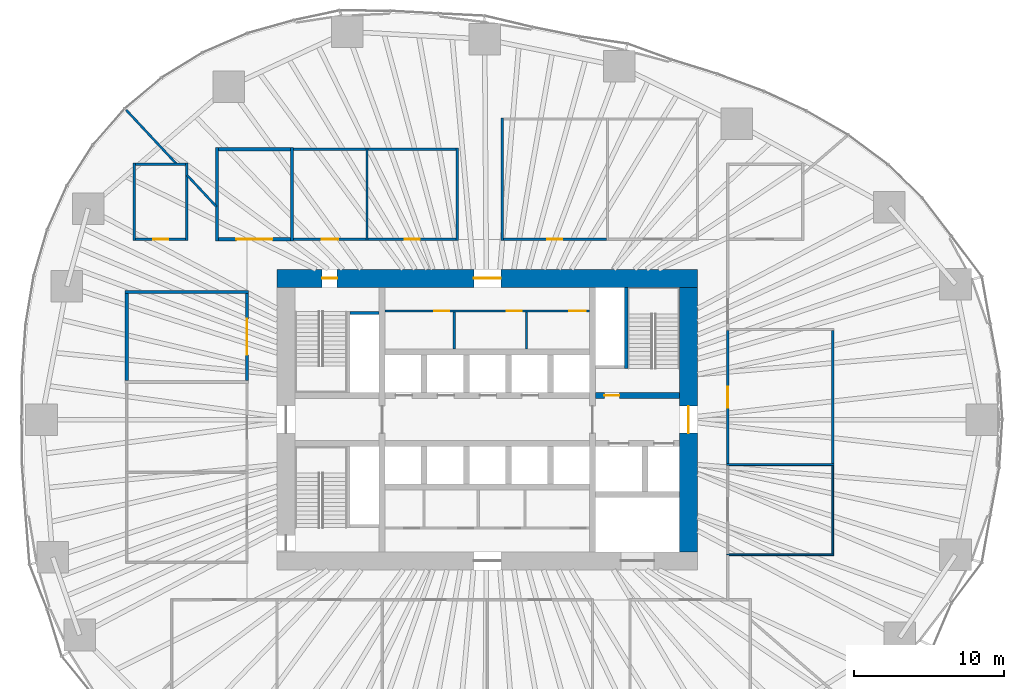
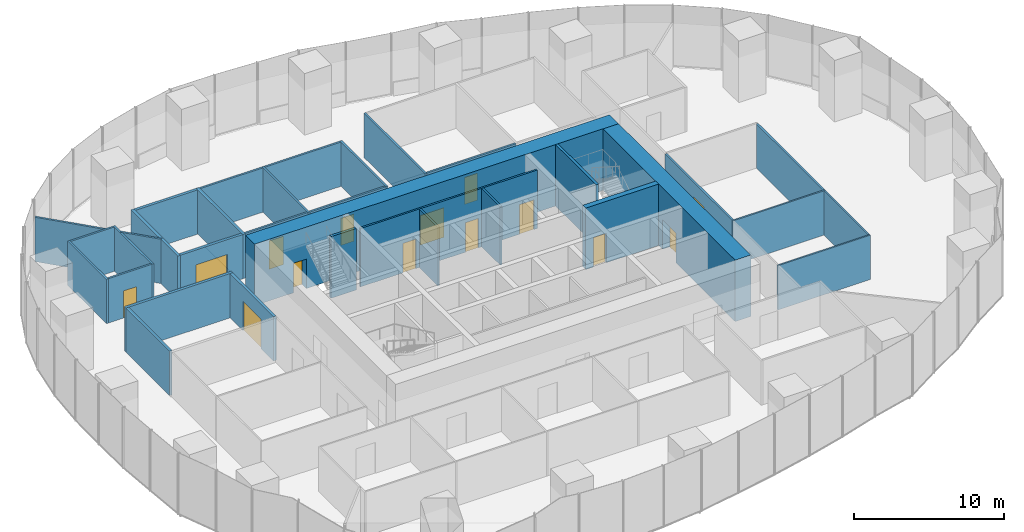
# One storey, part 11 of 20: 34 walls, 14 doors, 14 openings.
"""IFC4 building model written with IfcOpenShell, lengths in metres."""

from ifc_helpers import new_model, si_unit, direction, frame, frame_2d, origin, place, context, subcontext, project, spatial, rectangle, extrude, material, layer, layer_set, type_object, element, fill, save


model = new_model("IFC4")

# Units and contexts
model_context = context("Model", 3, precision=1e-05, world=origin(), true_north=direction((0.0, 1.0)))
body_context = subcontext(model_context, "Body", "Model", "MODEL_VIEW")
ifc_project = project(units=[si_unit("LENGTHUNIT", "METRE"), si_unit("AREAUNIT", "SQUARE_METRE"), si_unit("VOLUMEUNIT", "CUBIC_METRE"), si_unit("PLANEANGLEUNIT", "RADIAN"), si_unit("MASSUNIT", "GRAM", prefix="KILO")], contexts=[model_context])

# Site, building, storey
site_placement = place(None, origin())
site = spatial("IfcSite", under=ifc_project, at=site_placement, CompositionType="ELEMENT")
building_placement = place(site_placement, origin())
building = spatial("IfcBuilding", under=site, at=building_placement, Name="Ghaith Harvest Tower", CompositionType="ELEMENT")
storey_placement = place(building_placement, frame((0.0, 0.0, 40.0)))
storey = spatial("IfcBuildingStorey", under=building, at=storey_placement, Name="L08", CompositionType="ELEMENT", Elevation=40.0)

# Wall
ifc_material_1 = material(Name="Concrete blockwork, 1-hour", Category="masonry")
ifc_layer_1 = layer(ifc_material_1, 0.215087890625)
ifc_layer_set_1 = layer_set([ifc_layer_1], Name="BLOCKWORK WALL 215")
wall_type_1 = type_object("IfcWallType", Name="BLOCKWORK WALL 215", PredefinedType="PARTITIONING", material=ifc_layer_set_1)
wall_1_placement = place(storey_placement, frame((-15.892578125, 8.5, 0.0), z_axis=(0.0, 0.0, 1.0), x_axis=(-1.0, 0.0, 0.0)))
element("IfcWall", 1, at=wall_1_placement, inside=storey, type_object=wall_type_1, Name="Partition L08 row W3 cross wall 4", PredefinedType="PARTITIONING", context=body_context, shape_type="SweptSolid", body=[
    extrude(rectangle(XDim=8.21484375, YDim=0.215087890625, at=frame_2d((4.107421875, 0.0))), origin(), (0.0, 0.0, 1.0), 3.60009765625),
])

# Wall, opening, door
wall_2_placement = place(storey_placement, frame((-16.0, 2.607421875, 0.0), z_axis=(0.0, 0.0, 1.0), x_axis=(0.0, 1.0, 0.0)))
wall_2 = element("IfcWall", 2, at=wall_2_placement, inside=storey, type_object=wall_type_1, Name="Partition L08-08", PredefinedType="PARTITIONING", context=body_context, shape_type="SweptSolid", body=[
    extrude(rectangle(XDim=5.78515625, YDim=0.215087890625, at=frame_2d((2.892578125, 0.0))), origin(), (0.0, 0.0, 1.0), 3.60009765625),
])
opening_1_placement = place(wall_2_placement, frame((1.6923828125, 0.0, 0.0)))
opening_1 = element("IfcOpeningElement", 3, at=opening_1_placement, cuts=wall_2, Name="Opening 08-031", PredefinedType="OPENING", context=body_context, shape_type="SweptSolid", body=[
    extrude(rectangle(XDim=2.39990234375, YDim=2.39990234375, at=frame_2d((1.199951171875, 1.199951171875))), frame((0.0, 0.11767578125, 0.0), z_axis=(0.0, -1.0, 0.0), x_axis=(1.0, 0.0, 0.0)), (0.0, 0.0, 1.0), 0.235107421875),
])
ifc_material_2 = material(Name="Timber door", Category="wood")
door_type_1 = type_object("IfcDoorType", Name="D10 PLANT PAIR 2400x2400", OperationType="DOUBLE_DOOR_SINGLE_SWING", PredefinedType="DOOR", material=ifc_material_2)
door_1_placement = place(opening_1_placement, origin())
door_1 = element("IfcDoor", 4, at=door_1_placement, inside=storey, type_object=door_type_1, Name="Nutrient tank room door", OperationType="DOUBLE_DOOR_SINGLE_SWING", OverallHeight=2.39990234375, OverallWidth=2.39990234375, PredefinedType="DOOR", context=body_context, shape_type="SweptSolid", body=[
    extrude(rectangle(XDim=2.39990234375, YDim=2.39990234375, at=frame_2d((1.199951171875, 1.199951171875))), frame((0.0, 0.02490234375, 0.0), z_axis=(0.0, -1.0, 0.0), x_axis=(1.0, 0.0, 0.0)), (0.0, 0.0, 1.0), 0.050048828125),
])
fill(opening_1, door_1)

# Walls
wall_3_placement = place(storey_placement, frame((-24.0, 2.607421875, 0.0), z_axis=(0.0, 0.0, 1.0), x_axis=(0.0, 1.0, 0.0)))
element("IfcWall", 5, at=wall_3_placement, inside=storey, type_object=wall_type_1, Name="Partition L08-08", PredefinedType="PARTITIONING", context=body_context, shape_type="SweptSolid", body=[
    extrude(rectangle(XDim=5.78515625, YDim=0.215087890625, at=frame_2d((2.892578125, 0.0))), origin(), (0.0, 0.0, 1.0), 3.60009765625),
])
for number, where, z_axis, x_axis, name in (
    (6, (-18.0, 11.892578125, 0.0), (0.0, 0.0, 1.0), (0.0, 1.0, 0.0), "Partition L08 row N4 cross wall 1"),
    (7, (-13.0, 11.892578125, 0.0), (0.0, 0.0, 1.0), (0.0, 1.0, 0.0), "Partition L08 row N4 cross wall 2"),
):
    element("IfcWall", number, at=place(storey_placement, frame(where, z_axis=z_axis, x_axis=x_axis)), inside=storey, type_object=wall_type_1, Name=name, PredefinedType="PARTITIONING", context=body_context, shape_type="SweptSolid", body=[
        extrude(rectangle(XDim=6.21484375, YDim=0.215087890625, at=frame_2d((3.107421875, 0.0))), origin(), (0.0, 0.0, 1.0), 3.60009765625),
    ])

# Wall, opening, door
wall_4_placement = place(storey_placement, frame((-17.892578125, 12.0, 0.0), z_axis=(0.0, 0.0, 1.0), x_axis=(1.0, 0.0, 0.0)))
wall_4 = element("IfcWall", 8, at=wall_4_placement, inside=storey, type_object=wall_type_1, Name="Partition L08-09", PredefinedType="PARTITIONING", context=body_context, shape_type="SweptSolid", body=[
    extrude(rectangle(XDim=4.78515625, YDim=0.215087890625, at=frame_2d((2.392578125, 0.0))), origin(), (0.0, 0.0, 1.0), 3.60009765625),
])
opening_2_placement = place(wall_4_placement, frame((1.1923828125, 0.0, 0.0)))
opening_2 = element("IfcOpeningElement", 9, at=opening_2_placement, cuts=wall_4, Name="Opening 08-032", PredefinedType="OPENING", context=body_context, shape_type="SweptSolid", body=[
    extrude(rectangle(XDim=2.39990234375, YDim=2.39990234375, at=frame_2d((1.199951171875, 1.199951171875))), frame((0.0, 0.11767578125, 0.0), z_axis=(0.0, -1.0, 0.0), x_axis=(1.0, 0.0, 0.0)), (0.0, 0.0, 1.0), 0.235107421875),
])
door_2_placement = place(opening_2_placement, origin())
door_2 = element("IfcDoor", 10, at=door_2_placement, inside=storey, type_object=door_type_1, Name="Pump room door", OperationType="DOUBLE_DOOR_SINGLE_SWING", OverallHeight=2.39990234375, OverallWidth=2.39990234375, PredefinedType="DOOR", context=body_context, shape_type="SweptSolid", body=[
    extrude(rectangle(XDim=2.39990234375, YDim=2.39990234375, at=frame_2d((1.199951171875, 1.199951171875))), frame((0.0, 0.02490234375, 0.0), z_axis=(0.0, -1.0, 0.0), x_axis=(1.0, 0.0, 0.0)), (0.0, 0.0, 1.0), 0.050048828125),
])
fill(opening_2, door_2)

# Wall
wall_5_placement = place(storey_placement, frame((-17.892578125, 18.0, 0.0), z_axis=(0.0, 0.0, 1.0), x_axis=(1.0, 0.0, 0.0)))
element("IfcWall", 11, at=wall_5_placement, inside=storey, type_object=wall_type_1, Name="Partition L08-09", PredefinedType="PARTITIONING", context=body_context, shape_type="SweptSolid", body=[
    extrude(rectangle(XDim=4.78515625, YDim=0.215087890625, at=frame_2d((2.392578125, 0.0))), origin(), (0.0, 0.0, 1.0), 3.60009765625),
])

# Wall, openings, doors
ifc_material_3 = material(Name="Concrete blockwork, fair-faced", Category="masonry")
ifc_layer_2 = layer(ifc_material_3, 0.139892578125)
ifc_layer_set_2 = layer_set([ifc_layer_2], Name="CORE PARTITION 140")
wall_type_2 = type_object("IfcWallType", Name="CORE PARTITION 140", PredefinedType="PARTITIONING", material=ifc_layer_set_2)
wall_6_placement = place(storey_placement, frame((-6.800048828125, 7.22998046875, 0.0), z_axis=(0.0, 0.0, 1.0), x_axis=(1.0, 0.0, 0.0)))
wall_6 = element("IfcWall", 12, at=wall_6_placement, inside=storey, type_object=wall_type_2, Name="Core partition L08", PredefinedType="PARTITIONING", context=body_context, shape_type="SweptSolid", body=[
    extrude(rectangle(XDim=13.60009765625, YDim=0.139892578125, at=frame_2d((6.800048828125, 0.0))), origin(), (0.0, 0.0, 1.0), 4.75),
])
opening_3_placement = place(wall_6_placement, frame((3.280029296875, 0.0, 0.0)))
opening_3 = element("IfcOpeningElement", 13, at=opening_3_placement, cuts=wall_6, Name="Opening 08-008", PredefinedType="OPENING", context=body_context, shape_type="SweptSolid", body=[
    extrude(rectangle(XDim=1.0, YDim=2.39990234375, at=frame_2d((0.5, 1.199951171875))), frame((0.0, 0.080078125, 0.0), z_axis=(0.0, -1.0, 0.0), x_axis=(1.0, 0.0, 0.0)), (0.0, 0.0, 1.0), 0.159912109375),
])
opening_4_placement = place(wall_6_placement, frame((8.080078125, 0.0, 0.0)))
opening_4 = element("IfcOpeningElement", 14, at=opening_4_placement, cuts=wall_6, Name="Opening 08-009", PredefinedType="OPENING", context=body_context, shape_type="SweptSolid", body=[
    extrude(rectangle(XDim=1.0, YDim=2.39990234375, at=frame_2d((0.5, 1.199951171875))), frame((0.0, 0.080078125, 0.0), z_axis=(0.0, -1.0, 0.0), x_axis=(1.0, 0.0, 0.0)), (0.0, 0.0, 1.0), 0.159912109375),
])
opening_5_placement = place(wall_6_placement, frame((12.25, 0.0, 0.0)))
opening_5 = element("IfcOpeningElement", 15, at=opening_5_placement, cuts=wall_6, Name="Opening 08-010", PredefinedType="OPENING", context=body_context, shape_type="SweptSolid", body=[
    extrude(rectangle(XDim=1.10009765625, YDim=2.39990234375, at=frame_2d((0.550048828125, 1.199951171875))), frame((0.0, 0.080078125, 0.0), z_axis=(0.0, -1.0, 0.0), x_axis=(1.0, 0.0, 0.0)), (0.0, 0.0, 1.0), 0.159912109375),
])
ifc_material_4 = material(Name="Steel fire door", Category="steel")
door_type_2 = type_object("IfcDoorType", Name="D3 FD90 1000x2400", OperationType="SINGLE_SWING_LEFT", PredefinedType="DOOR", material=ifc_material_4)
door_3_placement = place(opening_3_placement, origin())
door_3 = element("IfcDoor", 16, at=door_3_placement, inside=storey, type_object=door_type_2, Name="Female WC door", OperationType="SINGLE_SWING_LEFT", OverallHeight=2.39990234375, OverallWidth=1.0, PredefinedType="DOOR", context=body_context, shape_type="SweptSolid", body=[
    extrude(rectangle(XDim=1.0, YDim=2.39990234375, at=frame_2d((0.5, 1.199951171875))), frame((0.0, 0.02490234375, 0.0), z_axis=(0.0, -1.0, 0.0), x_axis=(1.0, 0.0, 0.0)), (0.0, 0.0, 1.0), 0.050048828125),
])
fill(opening_3, door_3)
door_4_placement = place(opening_4_placement, origin())
door_4 = element("IfcDoor", 17, at=door_4_placement, inside=storey, type_object=door_type_2, Name="Male WC door", OperationType="SINGLE_SWING_RIGHT", OverallHeight=2.39990234375, OverallWidth=1.0, PredefinedType="DOOR", context=body_context, shape_type="SweptSolid", body=[
    extrude(rectangle(XDim=1.0, YDim=2.39990234375, at=frame_2d((0.5, 1.199951171875))), frame((0.0, 0.02490234375, 0.0), z_axis=(0.0, -1.0, 0.0), x_axis=(1.0, 0.0, 0.0)), (0.0, 0.0, 1.0), 0.050048828125),
])
fill(opening_4, door_4)
ifc_material_5 = material(Name="Steel fire door", Category="steel")
door_type_3 = type_object("IfcDoorType", Name="D9 FD90 1100x2400", OperationType="SINGLE_SWING_LEFT", PredefinedType="DOOR", material=ifc_material_5)
door_5_placement = place(opening_5_placement, origin())
door_5 = element("IfcDoor", 18, at=door_5_placement, inside=storey, type_object=door_type_3, Name="Accessible WC door", OperationType="SINGLE_SWING_RIGHT", OverallHeight=2.39990234375, OverallWidth=1.10009765625, PredefinedType="DOOR", context=body_context, shape_type="SweptSolid", body=[
    extrude(rectangle(XDim=1.10009765625, YDim=2.39990234375, at=frame_2d((0.550048828125, 1.199951171875))), frame((0.0, 0.02490234375, 0.0), z_axis=(0.0, -1.0, 0.0), x_axis=(1.0, 0.0, 0.0)), (0.0, 0.0, 1.0), 0.050048828125),
])
fill(opening_5, door_5)

# Walls
for number, where, z_axis, x_axis, name in (
    (19, (-2.199951171875, 4.699951171875, 0.0), (0.0, 0.0, 1.0), (0.0, 1.0, 0.0), "Core partition L08"),
    (20, (2.60009765625, 4.699951171875, 0.0), (0.0, 0.0, 1.0), (0.0, 1.0, 0.0), "Core partition L08"),
):
    element("IfcWall", number, at=place(storey_placement, frame(where, z_axis=z_axis, x_axis=x_axis)), inside=storey, type_object=wall_type_2, Name=name, PredefinedType="PARTITIONING", context=body_context, shape_type="SweptSolid", body=[
        extrude(rectangle(XDim=2.4599609375, YDim=0.139892578125, at=frame_2d((1.22998046875, 0.0))), origin(), (0.0, 0.0, 1.0), 4.75),
    ])

# Wall, openings, doors
ifc_material_6 = material(Name="Concrete C70/85", Category="concrete")
ifc_layer_3 = layer(ifc_material_6, 1.199951171875)
ifc_layer_set_3 = layer_set([ifc_layer_3], Name="CORE WALL CW1200")
wall_type_3 = type_object("IfcWallType", Name="CORE WALL CW1200", PredefinedType="SHEAR", material=ifc_layer_set_3)
wall_7_placement = place(storey_placement, frame((14.0, 9.39990234375, 0.0), z_axis=(0.0, 0.0, 1.0), x_axis=(-1.0, 0.0, 0.0)))
wall_7 = element("IfcWall", 21, at=wall_7_placement, inside=storey, type_object=wall_type_3, Name="Core wall N L08", PredefinedType="SHEAR", context=body_context, shape_type="SweptSolid", body=[
    extrude(rectangle(XDim=28.0, YDim=1.199951171875, at=frame_2d((14.0, 0.0))), origin(), (0.0, 0.0, 1.0), 5.0),
])
opening_6_placement = place(wall_7_placement, frame((24.0, 0.0, 0.0)))
opening_6 = element("IfcOpeningElement", 22, at=opening_6_placement, cuts=wall_7, Name="Opening 08-005", PredefinedType="OPENING", context=body_context, shape_type="SweptSolid", body=[
    extrude(rectangle(XDim=1.0, YDim=2.39990234375, at=frame_2d((0.5, 1.199951171875))), frame((0.0, 0.60986328125, 0.0), z_axis=(0.0, -1.0, 0.0), x_axis=(1.0, 0.0, 0.0)), (0.0, 0.0, 1.0), 1.219970703125),
])
opening_7_placement = place(wall_7_placement, frame((13.10009765625, 0.0, 0.0)))
opening_7 = element("IfcOpeningElement", 23, at=opening_7_placement, cuts=wall_7, Name="Opening 08-015", PredefinedType="OPENING", context=body_context, shape_type="SweptSolid", body=[
    extrude(rectangle(XDim=1.800048828125, YDim=2.39990234375, at=frame_2d((0.89990234375, 1.199951171875))), frame((0.0, 0.60986328125, 0.0), z_axis=(0.0, -1.0, 0.0), x_axis=(1.0, 0.0, 0.0)), (0.0, 0.0, 1.0), 1.219970703125),
])
door_6_placement = place(opening_6_placement, origin())
door_6 = element("IfcDoor", 24, at=door_6_placement, inside=storey, type_object=door_type_2, Name="Stair ST1 door", OperationType="SINGLE_SWING_RIGHT", OverallHeight=2.39990234375, OverallWidth=1.0, PredefinedType="DOOR", context=body_context, shape_type="SweptSolid", body=[
    extrude(rectangle(XDim=1.0, YDim=2.39990234375, at=frame_2d((0.5, 1.199951171875))), frame((0.0, 0.02490234375, 0.0), z_axis=(0.0, -1.0, 0.0), x_axis=(1.0, 0.0, 0.0)), (0.0, 0.0, 1.0), 0.050048828125),
])
fill(opening_6, door_6)
ifc_material_7 = material(Name="Steel fire door", Category="steel")
door_type_4 = type_object("IfcDoorType", Name="D4 FD90 PAIR 1800x2400", OperationType="DOUBLE_DOOR_SINGLE_SWING", PredefinedType="DOOR", material=ifc_material_7)
door_7_placement = place(opening_7_placement, origin())
door_7 = element("IfcDoor", 25, at=door_7_placement, inside=storey, type_object=door_type_4, Name="Core service corridor doors", OperationType="DOUBLE_DOOR_SINGLE_SWING", OverallHeight=2.39990234375, OverallWidth=1.800048828125, PredefinedType="DOOR", context=body_context, shape_type="SweptSolid", body=[
    extrude(rectangle(XDim=1.800048828125, YDim=2.39990234375, at=frame_2d((0.89990234375, 1.199951171875))), frame((0.0, 0.02490234375, 0.0), z_axis=(0.0, -1.0, 0.0), x_axis=(1.0, 0.0, 0.0)), (0.0, 0.0, 1.0), 0.050048828125),
])
fill(opening_7, door_7)

# Wall, opening, door
wall_8_placement = place(storey_placement, frame((13.39990234375, -8.800048828125, 0.0), z_axis=(0.0, 0.0, 1.0), x_axis=(0.0, 1.0, 0.0)))
wall_8 = element("IfcWall", 26, at=wall_8_placement, inside=storey, type_object=wall_type_3, Name="Core wall E L08", PredefinedType="SHEAR", context=body_context, shape_type="SweptSolid", body=[
    extrude(rectangle(XDim=17.60009765625, YDim=1.199951171875, at=frame_2d((8.800048828125, 0.0))), origin(), (0.0, 0.0, 1.0), 5.0),
])
opening_8_placement = place(wall_8_placement, frame((7.89990234375, 0.0, 0.0)))
opening_8 = element("IfcOpeningElement", 27, at=opening_8_placement, cuts=wall_8, Name="Opening 08-002", PredefinedType="OPENING", context=body_context, shape_type="SweptSolid", body=[
    extrude(rectangle(XDim=1.800048828125, YDim=2.39990234375, at=frame_2d((0.89990234375, 1.199951171875))), frame((0.0, 0.60986328125, 0.0), z_axis=(0.0, -1.0, 0.0), x_axis=(1.0, 0.0, 0.0)), (0.0, 0.0, 1.0), 1.219970703125),
])
door_8_placement = place(opening_8_placement, origin())
door_8 = element("IfcDoor", 28, at=door_8_placement, inside=storey, type_object=door_type_4, Name="Fire-fighting lobby doors", OperationType="DOUBLE_DOOR_SINGLE_SWING", OverallHeight=2.39990234375, OverallWidth=1.800048828125, PredefinedType="DOOR", context=body_context, shape_type="SweptSolid", body=[
    extrude(rectangle(XDim=1.800048828125, YDim=2.39990234375, at=frame_2d((0.89990234375, 1.199951171875))), frame((0.0, 0.02490234375, 0.0), z_axis=(0.0, -1.0, 0.0), x_axis=(1.0, 0.0, 0.0)), (0.0, 0.0, 1.0), 0.050048828125),
])
fill(opening_8, door_8)

# Walls
ifc_material_8 = material(Name="Insulated food-grade panel", Category="steel")
ifc_layer_4 = layer(ifc_material_8, 0.1201171875)
ifc_layer_set_4 = layer_set([ifc_layer_4], Name="INSULATED PANEL WALL 120")
wall_type_4 = type_object("IfcWallType", Name="INSULATED PANEL WALL 120", PredefinedType="PARTITIONING", material=ifc_layer_set_4)
wall_9_placement = place(storey_placement, frame((15.93994140625, -9.0, 0.0), z_axis=(0.0, 0.0, 1.0), x_axis=(1.0, 0.0, 0.0)))
element("IfcWall", 29, at=wall_9_placement, inside=storey, type_object=wall_type_4, Name="Partition L08 row E6 cross wall 1", PredefinedType="PARTITIONING", context=body_context, shape_type="SweptSolid", body=[
    extrude(rectangle(XDim=7.1201171875, YDim=0.1201171875, at=frame_2d((3.56005859375, 0.0))), origin(), (0.0, 0.0, 1.0), 3.60009765625),
])
wall_10_placement = place(storey_placement, frame((15.925048828125, -3.0, 0.0), z_axis=(0.0, 0.0, 1.0), x_axis=(1.0, 0.0, 0.0)))
element("IfcWall", 30, at=wall_10_placement, inside=storey, type_object=wall_type_4, Name="Partition L08 row E6 cross wall 2", PredefinedType="PARTITIONING", context=body_context, shape_type="SweptSolid", body=[
    extrude(rectangle(XDim=7.14990234375, YDim=0.1201171875, at=frame_2d((3.574951171875, 0.0))), origin(), (0.0, 0.0, 1.0), 3.60009765625),
])
wall_11_placement = place(storey_placement, frame((23.0, -8.93994140625, 0.0), z_axis=(0.0, 0.0, 1.0), x_axis=(0.0, 1.0, 0.0)))
element("IfcWall", 31, at=wall_11_placement, inside=storey, type_object=wall_type_4, Name="Partition L08-14", PredefinedType="PARTITIONING", context=body_context, shape_type="SweptSolid", body=[
    extrude(rectangle(XDim=5.8798828125, YDim=0.1201171875, at=frame_2d((2.93994140625, 0.0))), origin(), (0.0, 0.0, 1.0), 3.60009765625),
])
ifc_material_9 = material(Name="Gypsum board on steel studs", Category="steel")
ifc_layer_5 = layer(ifc_material_9, 0.14990234375)
ifc_layer_set_5 = layer_set([ifc_layer_5], Name="PARTITION 150")
wall_type_5 = type_object("IfcWallType", Name="PARTITION 150", PredefinedType="PARTITIONING", material=ifc_layer_set_5)
for number, where, z_axis, x_axis, name in (
    (32, (-8.0, 11.925048828125, 0.0), (0.0, 0.0, 1.0), (0.0, 1.0, 0.0), "Partition L08 row N4 cross wall 3"),
    (33, (-2.0, 11.925048828125, 0.0), (0.0, 0.0, 1.0), (0.0, 1.0, 0.0), "Partition L08 row N4 cross wall 4"),
):
    element("IfcWall", number, at=place(storey_placement, frame(where, z_axis=z_axis, x_axis=x_axis)), inside=storey, type_object=wall_type_5, Name=name, PredefinedType="PARTITIONING", context=body_context, shape_type="SweptSolid", body=[
        extrude(rectangle(XDim=6.14990234375, YDim=0.14990234375, at=frame_2d((3.074951171875, 0.0))), origin(), (0.0, 0.0, 1.0), 3.60009765625),
    ])

# Wall, opening, door
wall_12_placement = place(storey_placement, frame((-12.892578125, 12.0, 0.0), z_axis=(0.0, 0.0, 1.0), x_axis=(1.0, 0.0, 0.0)))
wall_12 = element("IfcWall", 34, at=wall_12_placement, inside=storey, type_object=wall_type_5, Name="Partition L08-10", PredefinedType="PARTITIONING", context=body_context, shape_type="SweptSolid", body=[
    extrude(rectangle(XDim=4.817626953125, YDim=0.14990234375, at=frame_2d((2.40869140625, 0.0))), origin(), (0.0, 0.0, 1.0), 3.60009765625),
])
opening_9_placement = place(wall_12_placement, frame((1.85888671875, 0.0, 0.0)))
opening_9 = element("IfcOpeningElement", 35, at=opening_9_placement, cuts=wall_12, Name="Opening 08-033", PredefinedType="OPENING", context=body_context, shape_type="SweptSolid", body=[
    extrude(rectangle(XDim=1.10009765625, YDim=2.300048828125, at=frame_2d((0.550048828125, 1.14990234375))), frame((0.0, 0.0849609375, 0.0), z_axis=(0.0, -1.0, 0.0), x_axis=(1.0, 0.0, 0.0)), (0.0, 0.0, 1.0), 0.169921875),
])
ifc_material_10 = material(Name="Timber-framed glazed door", Category="wood")
door_type_5 = type_object("IfcDoorType", Name="D12 GLAZED OFFICE 1100x2300", OperationType="SINGLE_SWING_LEFT", PredefinedType="DOOR", material=ifc_material_10)
door_9_placement = place(opening_9_placement, origin())
door_9 = element("IfcDoor", 36, at=door_9_placement, inside=storey, type_object=door_type_5, Name="Growing office door", OperationType="SINGLE_SWING_LEFT", OverallHeight=2.300048828125, OverallWidth=1.10009765625, PredefinedType="DOOR", context=body_context, shape_type="SweptSolid", body=[
    extrude(rectangle(XDim=1.10009765625, YDim=2.300048828125, at=frame_2d((0.550048828125, 1.14990234375))), frame((0.0, 0.02490234375, 0.0), z_axis=(0.0, -1.0, 0.0), x_axis=(1.0, 0.0, 0.0)), (0.0, 0.0, 1.0), 0.050048828125),
])
fill(opening_9, door_9)

# Wall
wall_13_placement = place(storey_placement, frame((-12.892578125, 18.0, 0.0), z_axis=(0.0, 0.0, 1.0), x_axis=(1.0, 0.0, 0.0)))
element("IfcWall", 37, at=wall_13_placement, inside=storey, type_object=wall_type_5, Name="Partition L08-10", PredefinedType="PARTITIONING", context=body_context, shape_type="SweptSolid", body=[
    extrude(rectangle(XDim=4.817626953125, YDim=0.14990234375, at=frame_2d((2.40869140625, 0.0))), origin(), (0.0, 0.0, 1.0), 3.60009765625),
])

# Wall, opening, door
wall_14_placement = place(storey_placement, frame((-7.925048828125, 12.0, 0.0), z_axis=(0.0, 0.0, 1.0), x_axis=(1.0, 0.0, 0.0)))
wall_14 = element("IfcWall", 38, at=wall_14_placement, inside=storey, type_object=wall_type_5, Name="Partition L08-11", PredefinedType="PARTITIONING", context=body_context, shape_type="SweptSolid", body=[
    extrude(rectangle(XDim=5.85009765625, YDim=0.14990234375, at=frame_2d((2.925048828125, 0.0))), origin(), (0.0, 0.0, 1.0), 3.60009765625),
])
opening_10_placement = place(wall_14_placement, frame((2.425048828125, 0.0, 0.0)))
opening_10 = element("IfcOpeningElement", 39, at=opening_10_placement, cuts=wall_14, Name="Opening 08-034", PredefinedType="OPENING", context=body_context, shape_type="SweptSolid", body=[
    extrude(rectangle(XDim=1.0, YDim=2.199951171875, at=frame_2d((0.5, 1.10009765625))), frame((0.0, 0.0849609375, 0.0), z_axis=(0.0, -1.0, 0.0), x_axis=(1.0, 0.0, 0.0)), (0.0, 0.0, 1.0), 0.169921875),
])
ifc_material_11 = material(Name="Timber door", Category="wood")
door_type_6 = type_object("IfcDoorType", Name="D1 SINGLE 1000x2200", OperationType="SINGLE_SWING_LEFT", PredefinedType="DOOR", material=ifc_material_11)
door_10_placement = place(opening_10_placement, origin())
door_10 = element("IfcDoor", 40, at=door_10_placement, inside=storey, type_object=door_type_6, Name="Staff room door", OperationType="SINGLE_SWING_LEFT", OverallHeight=2.199951171875, OverallWidth=1.0, PredefinedType="DOOR", context=body_context, shape_type="SweptSolid", body=[
    extrude(rectangle(XDim=1.0, YDim=2.199951171875, at=frame_2d((0.5, 1.10009765625))), frame((0.0, 0.02490234375, 0.0), z_axis=(0.0, -1.0, 0.0), x_axis=(1.0, 0.0, 0.0)), (0.0, 0.0, 1.0), 0.050048828125),
])
fill(opening_10, door_10)

# Walls
wall_15_placement = place(storey_placement, frame((-7.925048828125, 18.0, 0.0), z_axis=(0.0, 0.0, 1.0), x_axis=(1.0, 0.0, 0.0)))
element("IfcWall", 41, at=wall_15_placement, inside=storey, type_object=wall_type_5, Name="Partition L08-11", PredefinedType="PARTITIONING", context=body_context, shape_type="SweptSolid", body=[
    extrude(rectangle(XDim=5.85009765625, YDim=0.14990234375, at=frame_2d((2.925048828125, 0.0))), origin(), (0.0, 0.0, 1.0), 3.60009765625),
])
wall_16_placement = place(storey_placement, frame((1.0, 11.925048828125, 0.0), z_axis=(0.0, 0.0, 1.0), x_axis=(0.0, 1.0, 0.0)))
element("IfcWall", 42, at=wall_16_placement, inside=storey, type_object=wall_type_5, Name="Partition L08 row N5 cross wall 1", PredefinedType="PARTITIONING", context=body_context, shape_type="SweptSolid", body=[
    extrude(rectangle(XDim=8.14990234375, YDim=0.14990234375, at=frame_2d((4.074951171875, 0.0))), origin(), (0.0, 0.0, 1.0), 3.60009765625),
])

# Wall, opening, door
wall_17_placement = place(storey_placement, frame((1.074951171875, 12.0, 0.0), z_axis=(0.0, 0.0, 1.0), x_axis=(1.0, 0.0, 0.0)))
wall_17 = element("IfcWall", 43, at=wall_17_placement, inside=storey, type_object=wall_type_5, Name="Partition L08-12", PredefinedType="PARTITIONING", context=body_context, shape_type="SweptSolid", body=[
    extrude(rectangle(XDim=6.85009765625, YDim=0.14990234375, at=frame_2d((3.425048828125, 0.0))), origin(), (0.0, 0.0, 1.0), 3.60009765625),
])
opening_11_placement = place(wall_17_placement, frame((2.925048828125, 0.0, 0.0)))
opening_11 = element("IfcOpeningElement", 44, at=opening_11_placement, cuts=wall_17, Name="Opening 08-035", PredefinedType="OPENING", context=body_context, shape_type="SweptSolid", body=[
    extrude(rectangle(XDim=1.0, YDim=2.199951171875, at=frame_2d((0.5, 1.10009765625))), frame((0.0, 0.0849609375, 0.0), z_axis=(0.0, -1.0, 0.0), x_axis=(1.0, 0.0, 0.0)), (0.0, 0.0, 1.0), 0.169921875),
])
door_11_placement = place(opening_11_placement, origin())
door_11 = element("IfcDoor", 45, at=door_11_placement, inside=storey, type_object=door_type_6, Name="Seedling room door", OperationType="SINGLE_SWING_LEFT", OverallHeight=2.199951171875, OverallWidth=1.0, PredefinedType="DOOR", context=body_context, shape_type="SweptSolid", body=[
    extrude(rectangle(XDim=1.0, YDim=2.199951171875, at=frame_2d((0.5, 1.10009765625))), frame((0.0, 0.02490234375, 0.0), z_axis=(0.0, -1.0, 0.0), x_axis=(1.0, 0.0, 0.0)), (0.0, 0.0, 1.0), 0.050048828125),
])
fill(opening_11, door_11)

wall_18_placement = place(storey_placement, frame((16.0, -2.93994140625, 0.0), z_axis=(0.0, 0.0, 1.0), x_axis=(0.0, 1.0, 0.0)))
wall_18 = element("IfcWall", 46, at=wall_18_placement, inside=storey, type_object=wall_type_5, Name="Partition L08-15", PredefinedType="PARTITIONING", context=body_context, shape_type="SweptSolid", body=[
    extrude(rectangle(XDim=8.864990234375, YDim=0.14990234375, at=frame_2d((4.4326171875, 0.0))), origin(), (0.0, 0.0, 1.0), 3.60009765625),
])
opening_12_placement = place(wall_18_placement, frame((3.732421875, 0.0, 0.0)))
opening_12 = element("IfcOpeningElement", 47, at=opening_12_placement, cuts=wall_18, Name="Opening 08-038", PredefinedType="OPENING", context=body_context, shape_type="SweptSolid", body=[
    extrude(rectangle(XDim=1.39990234375, YDim=2.39990234375, at=frame_2d((0.699951171875, 1.199951171875))), frame((0.0, 0.0849609375, 0.0), z_axis=(0.0, -1.0, 0.0), x_axis=(1.0, 0.0, 0.0)), (0.0, 0.0, 1.0), 0.169921875),
])
ifc_material_12 = material(Name="Stainless steel faced door pair", Category="steel")
door_type_7 = type_object("IfcDoorType", Name="D14 HYGIENE PAIR 1400x2400", OperationType="DOUBLE_DOOR_DOUBLE_SWING", PredefinedType="DOOR", material=ifc_material_12)
door_12_placement = place(opening_12_placement, origin())
door_12 = element("IfcDoor", 48, at=door_12_placement, inside=storey, type_object=door_type_7, Name="Packing room door", OperationType="DOUBLE_DOOR_DOUBLE_SWING", OverallHeight=2.39990234375, OverallWidth=1.39990234375, PredefinedType="DOOR", context=body_context, shape_type="SweptSolid", body=[
    extrude(rectangle(XDim=1.39990234375, YDim=2.39990234375, at=frame_2d((0.699951171875, 1.199951171875))), frame((0.0, 0.02490234375, 0.0), z_axis=(0.0, -1.0, 0.0), x_axis=(1.0, 0.0, 0.0)), (0.0, 0.0, 1.0), 0.050048828125),
])
fill(opening_12, door_12)

# Walls
wall_19_placement = place(storey_placement, frame((23.0, -2.93994140625, 0.0), z_axis=(0.0, 0.0, 1.0), x_axis=(0.0, 1.0, 0.0)))
element("IfcWall", 49, at=wall_19_placement, inside=storey, type_object=wall_type_5, Name="Partition L08-15", PredefinedType="PARTITIONING", context=body_context, shape_type="SweptSolid", body=[
    extrude(rectangle(XDim=8.864990234375, YDim=0.14990234375, at=frame_2d((4.4326171875, 0.0))), origin(), (0.0, 0.0, 1.0), 3.60009765625),
])
for number, where, z_axis, x_axis, name in (
    (50, (-23.5, 11.925048828125, 0.0), (0.0, 0.0, 1.0), (0.0, 1.0, 0.0), "Partition L08 row N8 cross wall 1"),
    (51, (-20.0, 11.925048828125, 0.0), (0.0, 0.0, 1.0), (0.0, 1.0, 0.0), "Partition L08 row N8 cross wall 2"),
):
    element("IfcWall", number, at=place(storey_placement, frame(where, z_axis=z_axis, x_axis=x_axis)), inside=storey, type_object=wall_type_5, Name=name, PredefinedType="PARTITIONING", context=body_context, shape_type="SweptSolid", body=[
        extrude(rectangle(XDim=5.14990234375, YDim=0.14990234375, at=frame_2d((2.574951171875, 0.0))), origin(), (0.0, 0.0, 1.0), 3.60009765625),
    ])

# Wall, opening, door
wall_20_placement = place(storey_placement, frame((-23.425048828125, 12.0, 0.0), z_axis=(0.0, 0.0, 1.0), x_axis=(1.0, 0.0, 0.0)))
wall_20 = element("IfcWall", 52, at=wall_20_placement, inside=storey, type_object=wall_type_5, Name="Partition L08-17", PredefinedType="PARTITIONING", context=body_context, shape_type="SweptSolid", body=[
    extrude(rectangle(XDim=3.35009765625, YDim=0.14990234375, at=frame_2d((1.675048828125, 0.0))), origin(), (0.0, 0.0, 1.0), 3.60009765625),
])
opening_13_placement = place(wall_20_placement, frame((1.175048828125, 0.0, 0.0)))
opening_13 = element("IfcOpeningElement", 53, at=opening_13_placement, cuts=wall_20, Name="Opening 08-040", PredefinedType="OPENING", context=body_context, shape_type="SweptSolid", body=[
    extrude(rectangle(XDim=1.0, YDim=2.199951171875, at=frame_2d((0.5, 1.10009765625))), frame((0.0, 0.0849609375, 0.0), z_axis=(0.0, -1.0, 0.0), x_axis=(1.0, 0.0, 0.0)), (0.0, 0.0, 1.0), 0.169921875),
])
door_13_placement = place(opening_13_placement, origin())
door_13 = element("IfcDoor", 54, at=door_13_placement, inside=storey, type_object=door_type_6, Name="Store door", OperationType="SINGLE_SWING_LEFT", OverallHeight=2.199951171875, OverallWidth=1.0, PredefinedType="DOOR", context=body_context, shape_type="SweptSolid", body=[
    extrude(rectangle(XDim=1.0, YDim=2.199951171875, at=frame_2d((0.5, 1.10009765625))), frame((0.0, 0.02490234375, 0.0), z_axis=(0.0, -1.0, 0.0), x_axis=(1.0, 0.0, 0.0)), (0.0, 0.0, 1.0), 0.050048828125),
])
fill(opening_13, door_13)

# Walls
wall_21_placement = place(storey_placement, frame((-23.425048828125, 17.0, 0.0), z_axis=(0.0, 0.0, 1.0), x_axis=(1.0, 0.0, 0.0)))
element("IfcWall", 55, at=wall_21_placement, inside=storey, type_object=wall_type_5, Name="Partition L08-17", PredefinedType="PARTITIONING", context=body_context, shape_type="SweptSolid", body=[
    extrude(rectangle(XDim=3.35009765625, YDim=0.14990234375, at=frame_2d((1.675048828125, 0.0))), origin(), (0.0, 0.0, 1.0), 3.60009765625),
])
wall_22_placement = place(storey_placement, frame((-20.68798828125, 17.02001953125, 0.0), z_axis=(0.0, 0.0, 1.0), x_axis=(-0.682520458914, 0.730866487919, 0.0)))
element("IfcWall", 56, at=wall_22_placement, inside=storey, type_object=wall_type_5, Name="Partition L08 zone division", PredefinedType="PARTITIONING", context=body_context, shape_type="SweptSolid", body=[
    extrude(rectangle(XDim=4.9033203125, YDim=0.14990234375, at=frame_2d((2.45166015625, 0.0))), origin(), (0.0, 0.0, 1.0), 3.60009765625),
])
wall_23_placement = place(storey_placement, frame((-18.02001953125, 14.1630859375, 0.0), z_axis=(0.0, 0.0, 1.0), x_axis=(-0.682506029746, 0.730879962347, 0.0)))
element("IfcWall", 57, at=wall_23_placement, inside=storey, type_object=wall_type_5, Name="Partition L08 zone division", PredefinedType="PARTITIONING", context=body_context, shape_type="SweptSolid", body=[
    extrude(rectangle(XDim=2.871826171875, YDim=0.14990234375, at=frame_2d((1.43603515625, 0.0))), origin(), (0.0, 0.0, 1.0), 3.60009765625),
])

# Wall, opening, door
ifc_material_13 = material(Name="Concrete C70/85", Category="concrete")
ifc_layer_6 = layer(ifc_material_13, 0.39990234375)
ifc_layer_set_6 = layer_set([ifc_layer_6], Name="SHAFT WALL 400")
wall_type_6 = type_object("IfcWallType", Name="SHAFT WALL 400", PredefinedType="SHEAR", material=ifc_layer_set_6)
wall_24_placement = place(storey_placement, frame((7.199951171875, 1.60009765625, 0.0), z_axis=(0.0, 0.0, 1.0), x_axis=(1.0, 0.0, 0.0)))
wall_24 = element("IfcWall", 58, at=wall_24_placement, inside=storey, type_object=wall_type_6, Name="Shaft wall EN L08", PredefinedType="SHEAR", context=body_context, shape_type="SweptSolid", body=[
    extrude(rectangle(XDim=5.60009765625, YDim=0.39990234375, at=frame_2d((2.800048828125, 0.0))), origin(), (0.0, 0.0, 1.0), 5.0),
])
opening_14_placement = place(wall_24_placement, frame((0.60009765625, 0.0, 0.0)))
opening_14 = element("IfcOpeningElement", 59, at=opening_14_placement, cuts=wall_24, Name="Opening 08-007", PredefinedType="OPENING", context=body_context, shape_type="SweptSolid", body=[
    extrude(rectangle(XDim=1.0, YDim=2.39990234375, at=frame_2d((0.5, 1.199951171875))), frame((0.0, 0.2099609375, 0.0), z_axis=(0.0, -1.0, 0.0), x_axis=(1.0, 0.0, 0.0)), (0.0, 0.0, 1.0), 0.419921875),
])
door_14_placement = place(opening_14_placement, origin())
door_14 = element("IfcDoor", 60, at=door_14_placement, inside=storey, type_object=door_type_2, Name="Stair ST2 door", OperationType="SINGLE_SWING_LEFT", OverallHeight=2.39990234375, OverallWidth=1.0, PredefinedType="DOOR", context=body_context, shape_type="SweptSolid", body=[
    extrude(rectangle(XDim=1.0, YDim=2.39990234375, at=frame_2d((0.5, 1.199951171875))), frame((0.0, 0.02490234375, 0.0), z_axis=(0.0, -1.0, 0.0), x_axis=(1.0, 0.0, 0.0)), (0.0, 0.0, 1.0), 0.050048828125),
])
fill(opening_14, door_14)

# Walls
ifc_material_14 = material(Name="Concrete C40/50", Category="concrete")
ifc_layer_7 = layer(ifc_material_14, 0.199951171875)
ifc_layer_set_7 = layer_set([ifc_layer_7], Name="STAIR SPINE WALL RC200")
wall_type_7 = type_object("IfcWallType", Name="STAIR SPINE WALL RC200", PredefinedType="SOLIDWALL", material=ifc_layer_set_7)
wall_25_placement = place(storey_placement, frame((-9.14990234375, 7.10009765625, 0.0), z_axis=(0.0, 0.0, 1.0), x_axis=(1.0, 0.0, 0.0)))
element("IfcWall", 61, at=wall_25_placement, inside=storey, type_object=wall_type_7, Name="Stair ST1 spine wall return L08", PredefinedType="SOLIDWALL", context=body_context, shape_type="SweptSolid", body=[
    extrude(rectangle(XDim=1.949951171875, YDim=0.199951171875, at=frame_2d((0.97509765625, 0.0))), origin(), (0.0, 0.0, 1.0), 5.0),
])
wall_26_placement = place(storey_placement, frame((9.25, 3.39990234375, 0.0), z_axis=(0.0, 0.0, 1.0), x_axis=(0.0, 1.0, 0.0)))
element("IfcWall", 62, at=wall_26_placement, inside=storey, type_object=wall_type_7, Name="Stair ST2 spine wall L08", PredefinedType="SOLIDWALL", context=body_context, shape_type="SweptSolid", body=[
    extrude(rectangle(XDim=5.400146484375, YDim=0.199951171875, at=frame_2d((2.7001953125, 0.0))), origin(), (0.0, 0.0, 1.0), 5.0),
])

save(model, "model.ifc")
